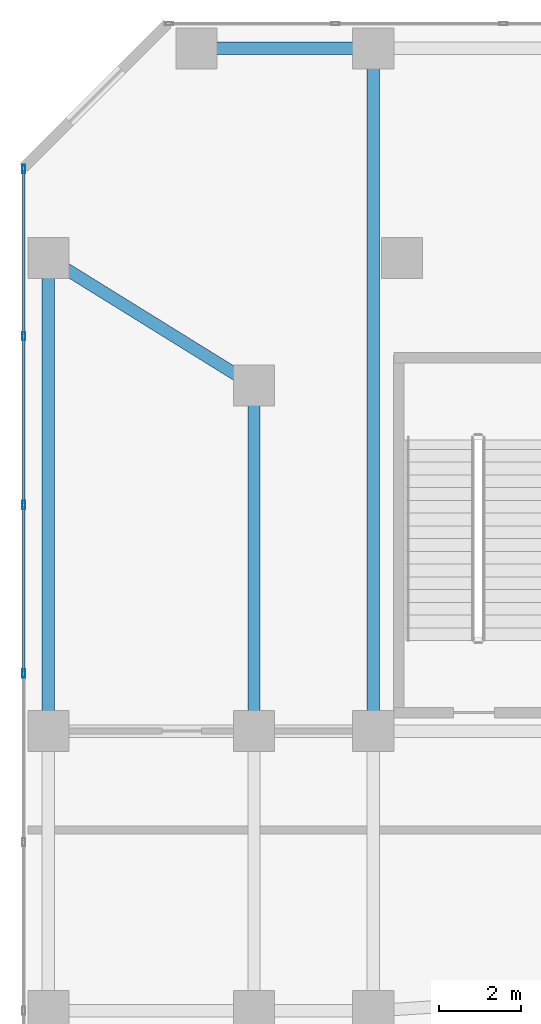
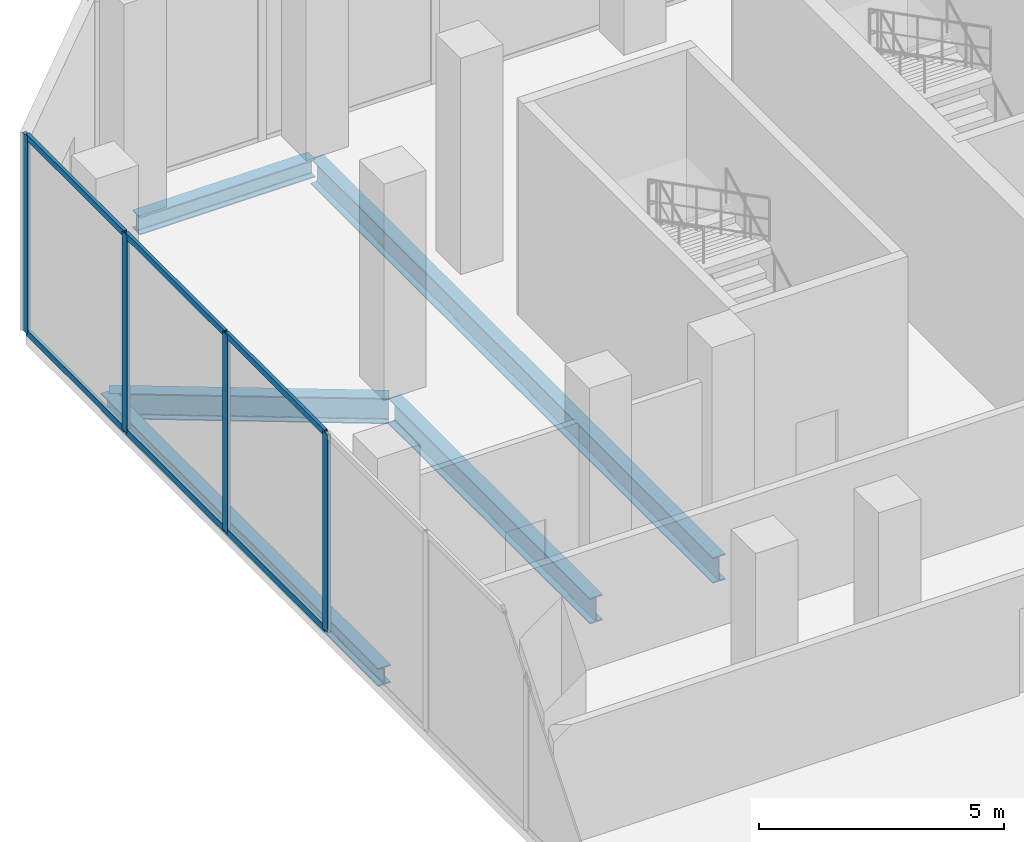
# One storey, part 12 of 24: 10 members, 5 beams, 1 element without a shape of its own.
"""IFC4 building model written with IfcOpenShell, lengths in metres."""

from ifc_helpers import new_model, si_unit, direction, frame, origin, origin_2d, place, context, subcontext, project, spatial, hollow_rectangle, i_section, extrude, material, layer, layer_set, material_profile, profile_set, type_object, element, aggregate, save


model = new_model("IFC4")

# Units and contexts
model_context = context("Model", 3, precision=1e-05, world=origin(), true_north=direction((0.0, 1.0)))
body_context = subcontext(model_context, "Body", "Model", "MODEL_VIEW")
ifc_project = project(units=[si_unit("LENGTHUNIT", "METRE"), si_unit("AREAUNIT", "SQUARE_METRE"), si_unit("VOLUMEUNIT", "CUBIC_METRE"), si_unit("PLANEANGLEUNIT", "RADIAN"), si_unit("MASSUNIT", "GRAM", prefix="KILO")], contexts=[model_context])

# Site, building, storey
site_placement = place(None, origin())
site = spatial("IfcSite", under=ifc_project, at=site_placement, CompositionType="ELEMENT")
building_placement = place(site_placement, origin())
building = spatial("IfcBuilding", under=site, at=building_placement, Name="Catumbela Crestline Tower", CompositionType="ELEMENT")
storey_placement = place(building_placement, frame((0.0, 0.0, 15.9)))
storey = spatial("IfcBuildingStorey", under=building, at=storey_placement, Name="L03", CompositionType="ELEMENT", Elevation=15.9)

# Beams
ifc_material_1 = material(Name="Structural steel S355J2", Category="steel")
ifc_material_profile_1 = material_profile(ifc_material_1, i_section(OverallWidth=0.3, OverallDepth=0.64, WebThickness=0.0135, FlangeThickness=0.026, FilletRadius=0.027, at=origin_2d()), Name="HEA 650")
ifc_profile_set_1 = profile_set([ifc_material_profile_1], Name="Structural steel S355J2")
beam_type_1 = type_object("IfcBeamType", Name="BG-HEA650", PredefinedType="BEAM", material=ifc_profile_set_1)
beam_1_placement = place(storey_placement, frame((0.668, 42.2578, -0.64), z_axis=(0.849908952007, -0.526929571479, 0.0), x_axis=(0.526929571479, 0.849908952007, 0.0)))
element("IfcBeam", 1, at=beam_1_placement, inside=storey, type_object=beam_type_1, Name="L03 Beam BM-L03-N11", PredefinedType="BEAM", context=body_context, shape_type="SweptSolid", body=[
    extrude(i_section(OverallWidth=0.3, OverallDepth=0.64, WebThickness=0.0135, FlangeThickness=0.026, FilletRadius=0.027, at=origin_2d()), origin(), (0.0, 0.0, 1.0), 5.723),
])
beam_2_placement = place(storey_placement, frame((5.6, 30.88, -0.64), z_axis=(0.0, 1.0, 0.0), x_axis=(-1.0, 0.0, 0.0)))
element("IfcBeam", 2, at=beam_2_placement, inside=storey, type_object=beam_type_1, Name="L03 Beam BM-L03-SN26", PredefinedType="BEAM", context=body_context, shape_type="SweptSolid", body=[
    extrude(i_section(OverallWidth=0.3, OverallDepth=0.64, WebThickness=0.0135, FlangeThickness=0.026, FilletRadius=0.027, at=origin_2d()), origin(), (0.0, 0.0, 1.0), 8.24),
])
beam_3_placement = place(storey_placement, frame((8.5, 30.88, -0.64), z_axis=(0.0, 1.0, 0.0), x_axis=(-1.0, 0.0, 0.0)))
element("IfcBeam", 3, at=beam_3_placement, inside=storey, type_object=beam_type_1, Name="L03 Beam BM-L03-SN28", PredefinedType="BEAM", context=body_context, shape_type="SweptSolid", body=[
    extrude(i_section(OverallWidth=0.3, OverallDepth=0.64, WebThickness=0.0135, FlangeThickness=0.026, FilletRadius=0.027, at=origin_2d()), origin(), (0.0, 0.0, 1.0), 16.44),
])

# Curtain wall, members
ifc_material_2 = material(Name="Aluminium alloy AW-6060-T66", Category="aluminium")
ifc_layer = layer(ifc_material_2, 0.18, Name="Aluminium alloy AW-6060-T66")
ifc_layer_set = layer_set([ifc_layer], Name="Aluminium alloy AW-6060-T66")
curtain_wall_type = type_object("IfcCurtainWallType", Name="CWS-POD", PredefinedType="USERDEFINED", material=ifc_layer_set)
curtain_wall_placement = place(storey_placement, origin())
curtain_wall = element("IfcCurtainWall", 4, at=curtain_wall_placement, inside=storey, type_object=curtain_wall_type, Name="L03 Stick Curtain Wall CW-L03-E9S1", ObjectType="STICK", PredefinedType="USERDEFINED")
ifc_material_profile_2 = material_profile(ifc_material_2, hollow_rectangle(XDim=0.075, YDim=0.2, WallThickness=0.005, at=origin_2d()), Name="ALU 200x75x5")
ifc_profile_set_2 = profile_set([ifc_material_profile_2], Name="Aluminium alloy AW-6060-T66")
member_type_1 = type_object("IfcMemberType", Name="MUL-200X75", PredefinedType="MULLION", material=ifc_profile_set_2)
member_1_placement = place(storey_placement, frame((0.0, 44.4675, 0.0), z_axis=(0.0, 0.0, 1.0), x_axis=(1.0, 0.0, 0.0)))
member_1 = element("IfcMember", 5, at=member_1_placement, type_object=member_type_1, Name="CWS-POD mullion 1", PredefinedType="MULLION", context=body_context, shape_type="SweptSolid", body=[
    extrude(hollow_rectangle(XDim=0.075, YDim=0.2, WallThickness=0.005, at=origin_2d()), origin(), (0.0, 0.0, 1.0), 4.94),
])
member_2_placement = place(storey_placement, frame((0.0, 40.4, 0.0), z_axis=(0.0, 0.0, 1.0), x_axis=(1.0, 0.0, 0.0)))
member_2 = element("IfcMember", 6, at=member_2_placement, type_object=member_type_1, Name="CWS-POD mullion 2", PredefinedType="MULLION", context=body_context, shape_type="SweptSolid", body=[
    extrude(hollow_rectangle(XDim=0.075, YDim=0.2, WallThickness=0.005, at=origin_2d()), origin(), (0.0, 0.0, 1.0), 4.94),
])
member_3_placement = place(storey_placement, frame((0.0, 36.3, 0.0), z_axis=(0.0, 0.0, 1.0), x_axis=(1.0, 0.0, 0.0)))
member_3 = element("IfcMember", 7, at=member_3_placement, type_object=member_type_1, Name="CWS-POD mullion 3", PredefinedType="MULLION", context=body_context, shape_type="SweptSolid", body=[
    extrude(hollow_rectangle(XDim=0.075, YDim=0.2, WallThickness=0.005, at=origin_2d()), origin(), (0.0, 0.0, 1.0), 4.94),
])
member_4_placement = place(storey_placement, frame((0.0, 32.2, 0.0), z_axis=(0.0, 0.0, 1.0), x_axis=(1.0, 0.0, 0.0)))
member_4 = element("IfcMember", 8, at=member_4_placement, type_object=member_type_1, Name="CWS-POD mullion 4", PredefinedType="MULLION", context=body_context, shape_type="SweptSolid", body=[
    extrude(hollow_rectangle(XDim=0.075, YDim=0.2, WallThickness=0.005, at=origin_2d()), origin(), (0.0, 0.0, 1.0), 4.94),
])

# Beams
ifc_material_profile_3 = material_profile(ifc_material_1, i_section(OverallWidth=0.3, OverallDepth=0.45, WebThickness=0.014, FlangeThickness=0.026, FilletRadius=0.027, at=origin_2d()), Name="HEB 450")
ifc_profile_set_3 = profile_set([ifc_material_profile_3], Name="Structural steel S355J2")
beam_type_2 = type_object("IfcBeamType", Name="BS-HEB450", PredefinedType="SPANDREL", material=ifc_profile_set_3)
beam_4_placement = place(storey_placement, frame((4.28, 47.4, -0.545), z_axis=(1.0, 0.0, 0.0), x_axis=(0.0, 1.0, 0.0)))
element("IfcBeam", 9, at=beam_4_placement, inside=storey, type_object=beam_type_2, Name="L03 Spandrel SP-L03-NF17", PredefinedType="SPANDREL", context=body_context, shape_type="SweptSolid", body=[
    extrude(i_section(OverallWidth=0.3, OverallDepth=0.45, WebThickness=0.014, FlangeThickness=0.026, FilletRadius=0.027, at=origin_2d()), origin(), (0.0, 0.0, 1.0), 4.14),
])
beam_5_placement = place(storey_placement, frame((0.6, 30.88, -0.545), z_axis=(0.0, 1.0, 0.0), x_axis=(-1.0, 0.0, 0.0)))
element("IfcBeam", 10, at=beam_5_placement, inside=storey, type_object=beam_type_2, Name="L03 Spandrel SP-L03-SN24", PredefinedType="SPANDREL", context=body_context, shape_type="SweptSolid", body=[
    extrude(i_section(OverallWidth=0.3, OverallDepth=0.45, WebThickness=0.014, FlangeThickness=0.026, FilletRadius=0.027, at=origin_2d()), origin(), (0.0, 0.0, 1.0), 11.34),
])

# Member
ifc_material_profile_4 = material_profile(ifc_material_2, hollow_rectangle(XDim=0.075, YDim=0.15, WallThickness=0.0045, at=origin_2d()), Name="ALU 150x75x4.5")
ifc_profile_set_4 = profile_set([ifc_material_profile_4], Name="Aluminium alloy AW-6060-T66")
member_type_2 = type_object("IfcMemberType", Name="TRN-150X75", PredefinedType="USERDEFINED", material=ifc_profile_set_4)
member_5_placement = place(storey_placement, frame((0.0, 44.435, 0.03), z_axis=(0.0, -1.0, 0.0), x_axis=(1.0, 0.0, 0.0)))
member_5 = element("IfcMember", 11, at=member_5_placement, type_object=member_type_2, Name="CWS-POD transom 1.1", ObjectType="TRANSOM", PredefinedType="USERDEFINED", context=body_context, shape_type="SweptSolid", body=[
    extrude(hollow_rectangle(XDim=0.075, YDim=0.15, WallThickness=0.0045, at=origin_2d()), origin(), (0.0, 0.0, 1.0), 4.0025),
])

member_6_placement = place(storey_placement, frame((0.0, 44.435, 4.91), z_axis=(0.0, -1.0, 0.0), x_axis=(1.0, 0.0, 0.0)))
member_6 = element("IfcMember", 12, at=member_6_placement, type_object=member_type_2, Name="CWS-POD transom 1.2", ObjectType="TRANSOM", PredefinedType="USERDEFINED", context=body_context, shape_type="SweptSolid", body=[
    extrude(hollow_rectangle(XDim=0.075, YDim=0.15, WallThickness=0.0045, at=origin_2d()), origin(), (0.0, 0.0, 1.0), 4.0025),
])

member_7_placement = place(storey_placement, frame((0.0, 40.3675, 0.03), z_axis=(0.0, -1.0, 0.0), x_axis=(1.0, 0.0, 0.0)))
member_7 = element("IfcMember", 13, at=member_7_placement, type_object=member_type_2, Name="CWS-POD transom 2.1", ObjectType="TRANSOM", PredefinedType="USERDEFINED", context=body_context, shape_type="SweptSolid", body=[
    extrude(hollow_rectangle(XDim=0.075, YDim=0.15, WallThickness=0.0045, at=origin_2d()), origin(), (0.0, 0.0, 1.0), 4.035),
])

member_8_placement = place(storey_placement, frame((0.0, 40.3675, 4.91), z_axis=(0.0, -1.0, 0.0), x_axis=(1.0, 0.0, 0.0)))
member_8 = element("IfcMember", 14, at=member_8_placement, type_object=member_type_2, Name="CWS-POD transom 2.2", ObjectType="TRANSOM", PredefinedType="USERDEFINED", context=body_context, shape_type="SweptSolid", body=[
    extrude(hollow_rectangle(XDim=0.075, YDim=0.15, WallThickness=0.0045, at=origin_2d()), origin(), (0.0, 0.0, 1.0), 4.035),
])

member_9_placement = place(storey_placement, frame((0.0, 36.2675, 0.03), z_axis=(0.0, -1.0, 0.0), x_axis=(1.0, 0.0, 0.0)))
member_9 = element("IfcMember", 15, at=member_9_placement, type_object=member_type_2, Name="CWS-POD transom 3.1", ObjectType="TRANSOM", PredefinedType="USERDEFINED", context=body_context, shape_type="SweptSolid", body=[
    extrude(hollow_rectangle(XDim=0.075, YDim=0.15, WallThickness=0.0045, at=origin_2d()), origin(), (0.0, 0.0, 1.0), 4.035),
])

member_10_placement = place(storey_placement, frame((0.0, 36.2675, 4.91), z_axis=(0.0, -1.0, 0.0), x_axis=(1.0, 0.0, 0.0)))
member_10 = element("IfcMember", 16, at=member_10_placement, type_object=member_type_2, Name="CWS-POD transom 3.2", ObjectType="TRANSOM", PredefinedType="USERDEFINED", context=body_context, shape_type="SweptSolid", body=[
    extrude(hollow_rectangle(XDim=0.075, YDim=0.15, WallThickness=0.0045, at=origin_2d()), origin(), (0.0, 0.0, 1.0), 4.035),
])

aggregate(curtain_wall, [member_1, member_2, member_3, member_4, member_5, member_6, member_7, member_8, member_9, member_10])

save(model, "model.ifc")
